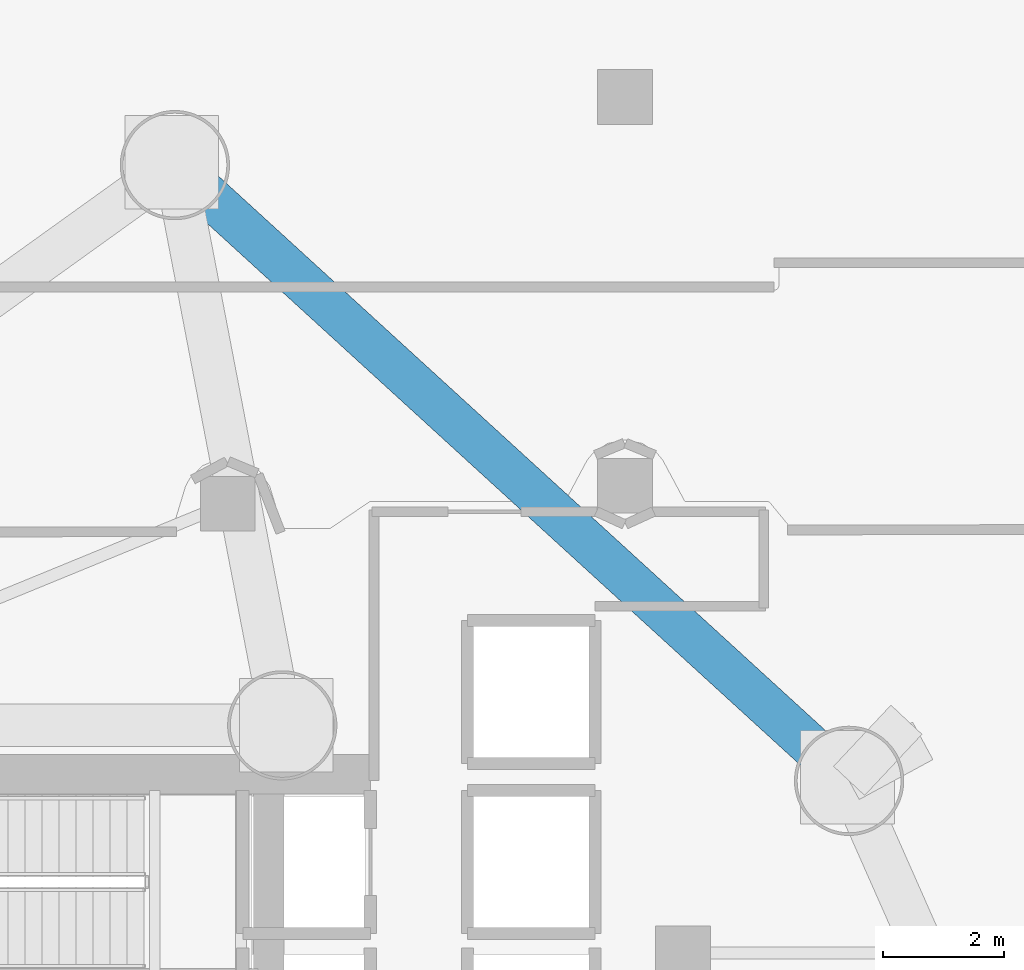
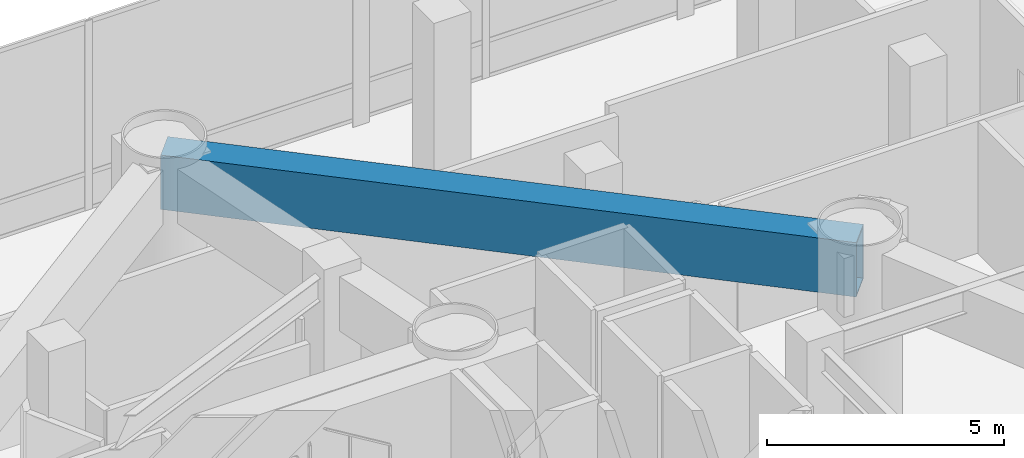
# One storey, part 21 of 40: 1 beam.
"""IFC4 building model written with IfcOpenShell, lengths in metres."""

from ifc_helpers import new_model, si_unit, direction, frame, origin, origin_2d, place, context, subcontext, project, spatial, hollow_rectangle, extrude, material, material_profile, profile_set, type_object, element, save


model = new_model("IFC4")

# Units and contexts
model_context = context("Model", 3, precision=1e-05, world=origin(), true_north=direction((0.0, 1.0)))
body_context = subcontext(model_context, "Body", "Model", "MODEL_VIEW")
ifc_project = project(units=[si_unit("LENGTHUNIT", "METRE"), si_unit("AREAUNIT", "SQUARE_METRE"), si_unit("VOLUMEUNIT", "CUBIC_METRE"), si_unit("PLANEANGLEUNIT", "RADIAN"), si_unit("MASSUNIT", "GRAM", prefix="KILO")], contexts=[model_context])

# Site, building, storey
site_placement = place(None, origin())
site = spatial("IfcSite", under=ifc_project, at=site_placement, CompositionType="ELEMENT")
building_placement = place(site_placement, origin())
building = spatial("IfcBuilding", under=site, at=building_placement, Name="Qianvela Tower", CompositionType="ELEMENT")
storey_placement = place(building_placement, frame((0.0, 0.0, 20.60009765625)))
storey = spatial("IfcBuildingStorey", under=building, at=storey_placement, Name="L04", CompositionType="ELEMENT", Elevation=20.60009765625)

# Beam
ifc_material = material(Name="Steel Q420GJC", Category="steel")
ifc_material_profile = material_profile(ifc_material, hollow_rectangle(XDim=0.699951171875, YDim=1.39990234375, WallThickness=0.0400390625, at=origin_2d()), Name="TG-BOX-1400x700x40")
ifc_profile_set = profile_set([ifc_material_profile], Name="Steel Q420GJC")
beam_type = type_object("IfcBeamType", Name="BM-TG-RAD-1400", PredefinedType="BEAM", material=ifc_profile_set)
beam_placement = place(storey_placement, frame((47.736083984375, 32.636962890625, 4.097900390625), z_axis=(-0.738396915155, 0.674366366072, 0.0), x_axis=(-0.674366366072, -0.738396915155, 0.0)))
element("IfcBeam", 1, at=beam_placement, inside=storey, type_object=beam_type, Name="L04 Perimeter Belt-Truss Top Ring Girder 2", PredefinedType="BEAM", context=body_context, shape_type="SweptSolid", body=[
    extrude(hollow_rectangle(XDim=0.699951171875, YDim=1.39990234375, WallThickness=0.0400390625, at=origin_2d()), origin(), (0.0, 0.0, 1.0), 15.0380859375),
])

save(model, "model.ifc")
